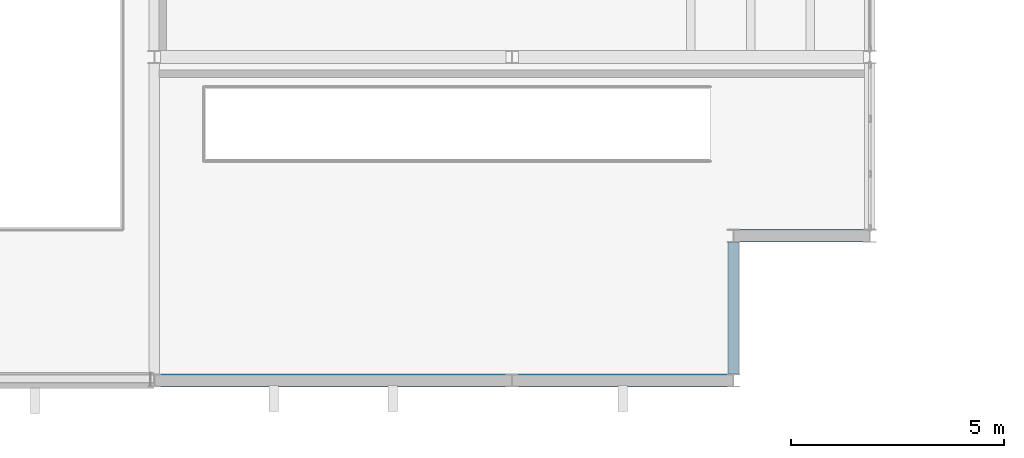
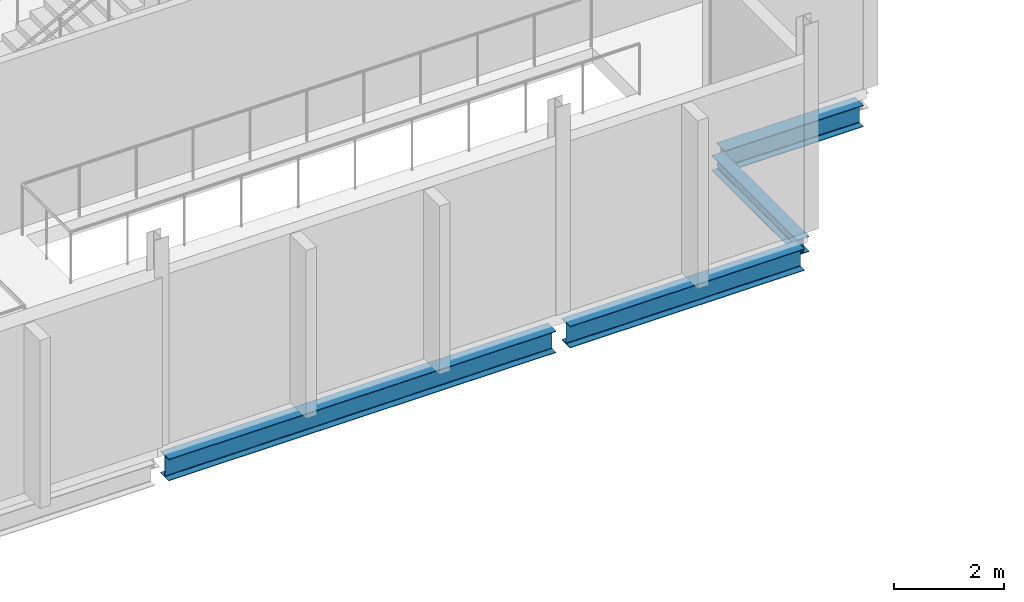
# One storey, part 24 of 172: 4 beams.
"""IFC4 building model written with IfcOpenShell, lengths in metres."""

import ifcopenshell
import ifcopenshell.guid

model = None  # the IFC model being written
_history = None  # IfcOwnerHistory: only IFC2X3 demands one
_inside = {}  # id of a spatial element -> (the spatial element, [elements in it])
_under = {}  # id of a project, library or spatial element -> (it, [spatial elements below it])
_declared = {}  # id of a project -> (the project, [libraries it declares])
_typed = {}  # id of a type object -> (the type object, [elements of that type])
_made_of = {}  # id of a material, layer set ... -> (it, [elements and type objects made of it])


def new_model(schema):
    """Start an empty IFC model of exactly this schema.

    Asked for "IFC4X3", IfcOpenShell would pick the latest addendum, in which some entities
    have other attributes; the version numbers below select the first issue.
    IFC2X3 requires an IfcOwnerHistory on every rooted entity: one is made here for all.
    """
    global model, _history
    if schema == "IFC4X3":
        model = ifcopenshell.file(schema_version=(4, 3, 0, 0))
    else:
        model = ifcopenshell.file(schema=schema)
    _inside.clear()
    _under.clear()
    _declared.clear()
    _typed.clear()
    _made_of.clear()
    _history = None
    if model.schema == "IFC2X3":
        org = make("IfcOrganization", Name="unknown")
        user = make(
            "IfcPersonAndOrganization",
            ThePerson=make("IfcPerson", FamilyName="unknown"),
            TheOrganization=org,
        )
        app = make(
            "IfcApplication",
            ApplicationDeveloper=org,
            Version="unknown",
            ApplicationFullName="unknown",
            ApplicationIdentifier="unknown",
        )
        _history = make(
            "IfcOwnerHistory",
            OwningUser=user,
            OwningApplication=app,
            ChangeAction="ADDED",
            CreationDate=0,
        )
    return model


def make(cls, **values):
    """One entity of the class cls with the attributes given. An attribute that is None is left unset."""
    return model.create_entity(
        cls, **{name: value for name, value in values.items() if value is not None}
    )


def rooted(cls, **values):
    """An entity with a GlobalId (a new one), such as an element, a storey or a relation."""
    return make(cls, GlobalId=ifcopenshell.guid.new(), OwnerHistory=_history, **values)


def si_unit(unit_type, name, prefix=None):
    """IfcSIUnit, for example si_unit("LENGTHUNIT", "METRE", prefix="MILLI")."""
    return make("IfcSIUnit", UnitType=unit_type, Prefix=prefix, Name=name)


def assignment(units):
    """IfcUnitAssignment: the units of a project."""
    return None if units is None else make("IfcUnitAssignment", Units=units)


def point(xyz):
    """IfcCartesianPoint."""
    return None if xyz is None else make("IfcCartesianPoint", Coordinates=xyz)


def direction(xyz):
    """IfcDirection."""
    return None if xyz is None else make("IfcDirection", DirectionRatios=xyz)


def frame(location, z_axis=None, x_axis=None):
    """IfcAxis2Placement3D, a coordinate frame: its origin and axes. An axis left out is left unset."""
    return make(
        "IfcAxis2Placement3D",
        Location=point(location),
        Axis=direction(z_axis),
        RefDirection=direction(x_axis),
    )


def frame_2d(location, x_axis=None):
    """IfcAxis2Placement2D, a coordinate frame in the plane: its origin and x axis."""
    return make(
        "IfcAxis2Placement2D", Location=point(location), RefDirection=direction(x_axis)
    )


def origin():
    """The frame at (0, 0, 0) with its axes left unset."""
    return frame((0.0, 0.0, 0.0))


def origin_2d():
    """The frame at (0, 0) in the plane with its x axis left unset."""
    return frame_2d((0.0, 0.0))


def place(relative_to, where):
    """IfcLocalPlacement: puts the frame where relative to a parent placement (None: the world)."""
    return make(
        "IfcLocalPlacement", PlacementRelTo=relative_to, RelativePlacement=where
    )


def context(
    kind, dimensions, precision=None, world=None, true_north=None, identifier=None
):
    """IfcGeometricRepresentationContext, for example the 3D "Model" context."""
    return make(
        "IfcGeometricRepresentationContext",
        ContextIdentifier=identifier,
        ContextType=kind,
        CoordinateSpaceDimension=dimensions,
        Precision=precision,
        WorldCoordinateSystem=world,
        TrueNorth=true_north,
    )


def subcontext(parent, identifier, kind, view, scale=None):
    """IfcGeometricRepresentationSubContext, for example "Body" below "Model"."""
    return make(
        "IfcGeometricRepresentationSubContext",
        ContextIdentifier=identifier,
        ContextType=kind,
        ParentContext=parent,
        TargetScale=scale,
        TargetView=view,
    )


def project(units=None, contexts=None):
    """IfcProject with its units and contexts."""
    return rooted(
        "IfcProject",
        Name="project",
        RepresentationContexts=contexts,
        UnitsInContext=assignment(units),
    )


def spatial(cls, under=None, at=None, **own):
    """A site, building, storey or space (cls), placed at a placement, below another one or the project."""
    s = rooted(cls, ObjectPlacement=at, **own)
    if under is not None:
        _under.setdefault(under.id(), (under, []))[1].append(s)
    return s


def profile(cls, at=None, kind="AREA", **sizes):
    """A parametric profile (cls). Its sizes go by their IFC names, for example OverallWidth=200.0."""
    return make(cls, ProfileType=kind, Position=at, **sizes)


def i_section(**sizes):
    """IfcIShapeProfileDef."""
    return profile("IfcIShapeProfileDef", **sizes)


def extrude(swept, where, along, depth):
    """IfcExtrudedAreaSolid: the profile swept, set in the frame where, extruded along a direction by depth."""
    return make(
        "IfcExtrudedAreaSolid",
        SweptArea=swept,
        Position=where,
        ExtrudedDirection=direction(along),
        Depth=depth,
    )


def shape(context_of_items, identifier, shape_type, items):
    """IfcShapeRepresentation: the items that make up one representation, for example the "Body"."""
    return make(
        "IfcShapeRepresentation",
        ContextOfItems=context_of_items,
        RepresentationIdentifier=identifier,
        RepresentationType=shape_type,
        Items=items,
    )


def material(Name=None, Category=None):
    """IfcMaterial."""
    return make("IfcMaterial", Name=Name, Category=Category)


def material_profile(
    of_material, cross_section, Name=None, Category=None, Priority=None
):
    """IfcMaterialProfile: a cross section and its material."""
    return make(
        "IfcMaterialProfile",
        Name=Name,
        Material=of_material,
        Profile=cross_section,
        Priority=Priority,
        Category=Category,
    )


def profile_set(profiles, Name=None, composite=None):
    """IfcMaterialProfileSet."""
    return make(
        "IfcMaterialProfileSet",
        Name=Name,
        MaterialProfiles=profiles,
        CompositeProfile=composite,
    )


def made_of(thing, what):
    """Note that an element or type object is made of a material, layer set ...; save() writes the relation."""
    if what is not None:
        _made_of.setdefault(what.id(), (what, []))[1].append(thing)
    return thing


def type_object(cls, material=None, **own):
    """A type object (cls), such as IfcWallType, which elements share."""
    return made_of(rooted(cls, **own), material)


def element(
    cls,
    number,
    at=None,
    inside=None,
    cuts=None,
    type_object=None,
    material=None,
    context=None,
    identifier="Body",
    shape_type=None,
    held_by="IfcProductDefinitionShape",
    body=None,
    shapes=None,
    **own,
):
    """One element of the class cls, such as IfcWall. Its Tag is "e" and its number.

    at: its placement. inside: the storey or other place that contains it. cuts: it is an
    opening in that element (IfcRelVoidsElement). A single representation is given by context,
    identifier, shape_type and body (its items); several are given by shapes. held_by: the class
    of the entity that holds the representations. save() writes the other relations.
    """
    e = rooted(cls, Tag="e%d" % number, ObjectPlacement=at, **own)
    if body is not None:
        shapes = [shape(context, identifier, shape_type, body)]
    if shapes is not None:
        e.Representation = make(held_by, Representations=shapes)
    if inside is not None:
        _inside.setdefault(inside.id(), (inside, []))[1].append(e)
    if cuts is not None:
        rooted(
            "IfcRelVoidsElement", RelatingBuildingElement=cuts, RelatedOpeningElement=e
        )
    if type_object is not None:
        _typed.setdefault(type_object.id(), (type_object, []))[1].append(e)
    return made_of(e, material)


def aggregate(whole, parts):
    """IfcRelAggregates: a whole, such as a stair, and the parts it consists of."""
    return rooted("IfcRelAggregates", RelatingObject=whole, RelatedObjects=parts)


def save(model, path):
    """Write the relations noted so far, then the file.

    IfcRelAggregates (storeys below a building ...), IfcRelContainedInSpatialStructure (elements
    in a storey), IfcRelDefinesByType, IfcRelAssociatesMaterial and IfcRelDeclares: one each for
    every whole, place, type object, material and project.
    """
    for whole, parts in _under.values():
        aggregate(whole, parts)
    for where, things in _inside.values():
        rooted(
            "IfcRelContainedInSpatialStructure",
            RelatedElements=things,
            RelatingStructure=where,
        )
    for kind, things in _typed.values():
        rooted("IfcRelDefinesByType", RelatedObjects=things, RelatingType=kind)
    for what, things in _made_of.values():
        rooted("IfcRelAssociatesMaterial", RelatedObjects=things, RelatingMaterial=what)
    for by, libraries in _declared.values():
        rooted("IfcRelDeclares", RelatingContext=by, RelatedDefinitions=libraries)
    model.write(path)


model = new_model("IFC4")

# Units and contexts
model_context = context("Model", 3, precision=1e-05, world=origin(), true_north=direction((0.0, 1.0)))
body_context = subcontext(model_context, "Body", "Model", "MODEL_VIEW")
ifc_project = project(units=[si_unit("LENGTHUNIT", "METRE"), si_unit("AREAUNIT", "SQUARE_METRE"), si_unit("VOLUMEUNIT", "CUBIC_METRE"), si_unit("PLANEANGLEUNIT", "RADIAN"), si_unit("MASSUNIT", "GRAM", prefix="KILO")], contexts=[model_context])

# Site, building, storey
site_placement = place(None, origin())
site = spatial("IfcSite", under=ifc_project, at=site_placement, CompositionType="ELEMENT")
building_placement = place(site_placement, origin())
building = spatial("IfcBuilding", under=site, at=building_placement, Name="Shengluoqiao Park Theatre", CompositionType="ELEMENT")
storey_placement = place(building_placement, frame((0.0, 0.0, 5.39990234375)))
storey = spatial("IfcBuildingStorey", under=building, at=storey_placement, Name="L01", CompositionType="ELEMENT", Elevation=5.39990234375)

# Beams
ifc_material = material(Name="Steel Q355", Category="steel")
ifc_material_profile_1 = material_profile(ifc_material, i_section(OverallWidth=0.25, OverallDepth=0.340087890625, WebThickness=0.009033203125, FlangeThickness=0.013916015625, FilletRadius=0.01611328125, at=origin_2d()), Name="HM 340x250x9x14")
ifc_profile_set_1 = profile_set([ifc_material_profile_1], Name="Steel Q355")
beam_type_1 = type_object("IfcBeamType", Name="STR-BM-G-HM340", PredefinedType="BEAM", material=ifc_profile_set_1)
beam_1_placement = place(storey_placement, frame((41.199951171875, 0.14990234375, -0.510009765625), z_axis=(0.0, 1.0, 0.0), x_axis=(-1.0, 0.0, 0.0)))
element("IfcBeam", 1, at=beam_1_placement, inside=storey, type_object=beam_type_1, Name="L01 V4 Corner Step Girder 003", PredefinedType="BEAM", context=body_context, shape_type="SweptSolid", body=[
    extrude(i_section(OverallWidth=0.25, OverallDepth=0.340087890625, WebThickness=0.009033203125, FlangeThickness=0.013916015625, FilletRadius=0.01611328125, at=origin_2d()), origin(), (0.0, 0.0, 1.0), 3.10009765625),
])
ifc_material_profile_2 = material_profile(ifc_material, i_section(OverallWidth=0.300048828125, OverallDepth=0.48193359375, WebThickness=0.010986328125, FlangeThickness=0.014892578125, FilletRadius=0.02197265625, at=origin_2d()), Name="HM 482x300x11x15")
ifc_profile_set_2 = profile_set([ifc_material_profile_2], Name="Steel Q355")
beam_type_2 = type_object("IfcBeamType", Name="STR-BM-G-HM482", PredefinedType="BEAM", material=ifc_profile_set_2)
beam_2_placement = place(storey_placement, frame((27.74658203125, 0.0, -0.580810546875), z_axis=(1.0, 0.0, 0.0), x_axis=(0.0, 1.0, 0.0)))
element("IfcBeam", 2, at=beam_2_placement, inside=storey, type_object=beam_type_2, Name="L01 Primary Girder 00425", PredefinedType="BEAM", context=body_context, shape_type="SweptSolid", body=[
    extrude(i_section(OverallWidth=0.300048828125, OverallDepth=0.48193359375, WebThickness=0.010986328125, FlangeThickness=0.014892578125, FilletRadius=0.02197265625, at=origin_2d()), origin(), (0.0, 0.0, 1.0), 8.10693359375),
])
beam_3_placement = place(storey_placement, frame((36.146484375, 0.0, -0.580810546875), z_axis=(1.0, 0.0, 0.0), x_axis=(0.0, 1.0, 0.0)))
element("IfcBeam", 3, at=beam_3_placement, inside=storey, type_object=beam_type_2, Name="L01 Primary Girder 00426", PredefinedType="BEAM", context=body_context, shape_type="SweptSolid", body=[
    extrude(i_section(OverallWidth=0.300048828125, OverallDepth=0.48193359375, WebThickness=0.010986328125, FlangeThickness=0.014892578125, FilletRadius=0.02197265625, at=origin_2d()), origin(), (0.0, 0.0, 1.0), 4.906982421875),
])
beam_4_placement = place(storey_placement, frame((41.35009765625, 3.39990234375, -0.580810546875), z_axis=(1.0, 0.0, 0.0), x_axis=(0.0, 1.0, 0.0)))
element("IfcBeam", 4, at=beam_4_placement, inside=storey, type_object=beam_type_2, Name="L01 V4 Corner Step Girder 004", PredefinedType="BEAM", context=body_context, shape_type="SweptSolid", body=[
    extrude(i_section(OverallWidth=0.300048828125, OverallDepth=0.48193359375, WebThickness=0.010986328125, FlangeThickness=0.014892578125, FilletRadius=0.02197265625, at=origin_2d()), origin(), (0.0, 0.0, 1.0), 2.89990234375),
])

save(model, "model.ifc")
